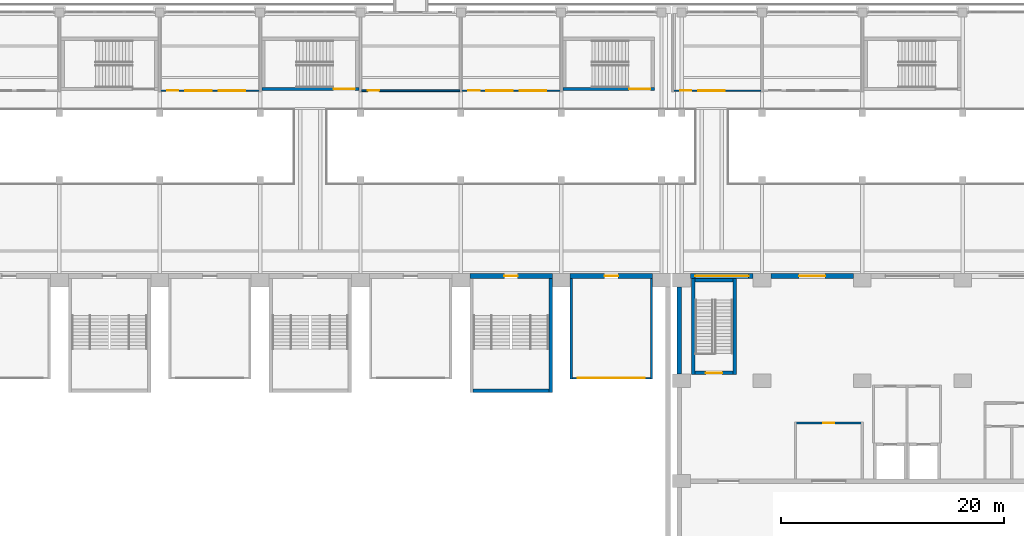
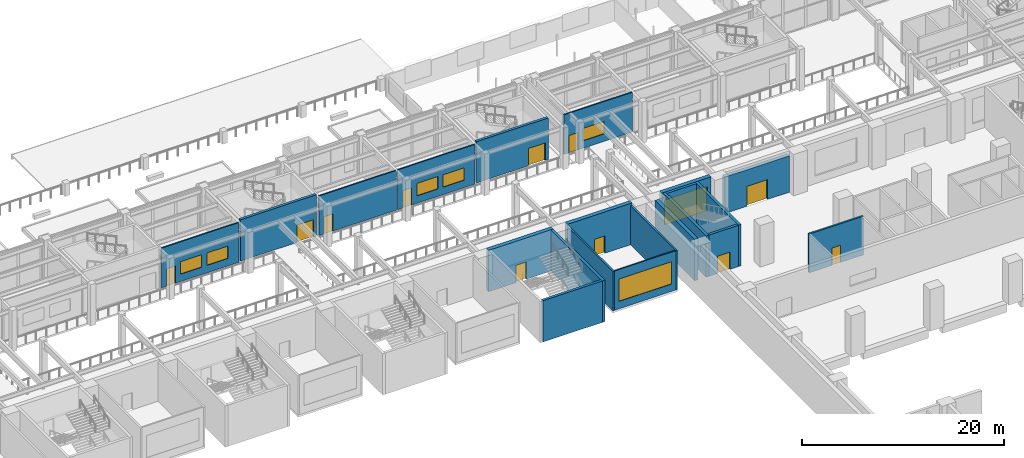
# One storey, part 39 of 67: 21 walls, 11 doors, 7 windows, 18 openings.
"""IFC4 building model written with IfcOpenShell, lengths in metres."""

from ifc_helpers import new_model, si_unit, direction, frame, frame_2d, origin, place, context, subcontext, project, spatial, rectangle, extrude, material, layer, layer_set, type_object, element, fill, save


model = new_model("IFC4")

# Units and contexts
model_context = context("Model", 3, precision=1e-05, world=origin(), true_north=direction((0.0, 1.0)))
body_context = subcontext(model_context, "Body", "Model", "MODEL_VIEW")
ifc_project = project(units=[si_unit("LENGTHUNIT", "METRE"), si_unit("AREAUNIT", "SQUARE_METRE"), si_unit("VOLUMEUNIT", "CUBIC_METRE"), si_unit("PLANEANGLEUNIT", "RADIAN"), si_unit("MASSUNIT", "GRAM", prefix="KILO")], contexts=[model_context])

# Site, building, storey
site_placement = place(None, origin())
site = spatial("IfcSite", under=ifc_project, at=site_placement, CompositionType="ELEMENT")
building_placement = place(site_placement, origin())
building = spatial("IfcBuilding", under=site, at=building_placement, Name="Aravalli Gate Trade Fair Centre", CompositionType="ELEMENT")
storey_placement = place(building_placement, frame((0.0, 0.0, 5.0)))
storey = spatial("IfcBuildingStorey", under=building, at=storey_placement, Name="L01", CompositionType="ELEMENT", Elevation=5.0)

# Walls
ifc_material_1 = material(Name="Concrete M40", Category="concrete")
ifc_layer_1 = layer(ifc_material_1, 0.300048828125)
ifc_layer_set_1 = layer_set([ifc_layer_1], Name="Concrete M40")
wall_type_1 = type_object("IfcWallType", Name="Congress RC wall 300", PredefinedType="SHEAR", material=ifc_layer_set_1)
for number, where, z_axis, x_axis, name in (
    (1, (107.85009765625, 100.550048828125, 0.0), (0.0, 0.0, 1.0), (0.0, 1.0, 0.0), "Foyer Stair West wall W L01"),
    (2, (111.550048828125, 100.550048828125, 0.0), (0.0, 0.0, 1.0), (0.0, 1.0, 0.0), "Foyer Stair West wall E L01"),
):
    element("IfcWall", number, at=place(storey_placement, frame(where, z_axis=z_axis, x_axis=x_axis)), inside=storey, type_object=wall_type_1, Name=name, PredefinedType="SHEAR", context=body_context, shape_type="SweptSolid", body=[
        extrude(rectangle(XDim=8.599853515625, YDim=0.300048828125, at=frame_2d((4.2998046875, 0.0))), origin(), (0.0, 0.0, 1.0), 5.0),
    ])

# Wall, opening, door
wall_1_placement = place(storey_placement, frame((108.0, 100.699951171875, 0.0), z_axis=(0.0, 0.0, 1.0), x_axis=(1.0, 0.0, 0.0)))
wall_1 = element("IfcWall", 3, at=wall_1_placement, inside=storey, type_object=wall_type_1, Name="Foyer Stair West wall S L01", PredefinedType="SHEAR", context=body_context, shape_type="SweptSolid", body=[
    extrude(rectangle(XDim=3.39990234375, YDim=0.300048828125, at=frame_2d((1.699951171875, 0.0))), origin(), (0.0, 0.0, 1.0), 5.0),
])
opening_1_placement = place(wall_1_placement, frame((0.97509765625, 0.0, 0.0)))
opening_1 = element("IfcOpeningElement", 4, at=opening_1_placement, cuts=wall_1, Name="Opening G-L01-07", PredefinedType="OPENING", context=body_context, shape_type="SweptSolid", body=[
    extrude(rectangle(XDim=1.449951171875, YDim=2.10009765625, at=frame_2d((0.72509765625, 1.050048828125))), frame((0.0, 0.159912109375, 0.0), z_axis=(0.0, -1.0, 0.0), x_axis=(1.0, 0.0, 0.0)), (0.0, 0.0, 1.0), 0.320068359375),
])
ifc_material_2 = material(Name="Steel, fire rated", Category="steel")
door_type_1 = type_object("IfcDoorType", Name="Congress fire door FD120 1450 x 2100", OperationType="SINGLE_SWING_LEFT", PredefinedType="DOOR", material=ifc_material_2)
door_1_placement = place(opening_1_placement, origin())
door_1 = element("IfcDoor", 5, at=door_1_placement, inside=storey, type_object=door_type_1, Name="Foyer Stair West door L01", OperationType="SINGLE_SWING_RIGHT", OverallHeight=2.10009765625, OverallWidth=1.449951171875, PredefinedType="DOOR", context=body_context, shape_type="SweptSolid", body=[
    extrude(rectangle(XDim=1.449951171875, YDim=2.10009765625, at=frame_2d((0.72509765625, 1.050048828125))), frame((0.0, 0.02490234375, 0.0), z_axis=(0.0, -1.0, 0.0), x_axis=(1.0, 0.0, 0.0)), (0.0, 0.0, 1.0), 0.050048828125),
])
fill(opening_1, door_1)

# Walls
wall_2_placement = place(storey_placement, frame((108.0, 109.0, 0.0), z_axis=(0.0, 0.0, 1.0), x_axis=(1.0, 0.0, 0.0)))
element("IfcWall", 6, at=wall_2_placement, inside=storey, type_object=wall_type_1, Name="Foyer Stair West wall N L01", PredefinedType="SHEAR", context=body_context, shape_type="SweptSolid", body=[
    extrude(rectangle(XDim=3.39990234375, YDim=0.300048828125, at=frame_2d((1.699951171875, 0.0))), origin(), (0.0, 0.0, 1.0), 5.0),
])
ifc_layer_2 = layer(ifc_material_1, 0.25, Name="Structural wall")
ifc_material_3 = material(Name="Ventilated air cavity")
ifc_layer_3 = layer(ifc_material_3, 0.050048828125, ventilated=True, Name="Ventilated cavity")
ifc_material_4 = material(Name="Terracotta rainscreen", Category="masonry")
ifc_layer_4 = layer(ifc_material_4, 0.10009765625, Name="Rainscreen cladding")
ifc_layer_set_2 = layer_set([ifc_layer_2, ifc_layer_3, ifc_layer_4], Name="Congress external wall 400")
wall_type_2 = type_object("IfcWallType", Name="Congress external wall 400", PredefinedType="SOLIDWALL", material=ifc_layer_set_2)
wall_3_placement = place(storey_placement, frame((106.60009765625, 100.60009765625, 0.0), z_axis=(0.0, 0.0, 1.0), x_axis=(0.0, 1.0, 0.0)))
element("IfcWall", 7, at=wall_3_placement, inside=storey, type_object=wall_type_2, Name="West wall L01 bay 7", PredefinedType="SOLIDWALL", context=body_context, shape_type="SweptSolid", body=[
    extrude(rectangle(XDim=7.7998046875, YDim=0.39990234375, at=frame_2d((3.89990234375, 0.0))), origin(), (0.0, 0.0, 1.0), 5.0),
])

# Wall, opening, door
ifc_material_5 = material(Name="Concrete block masonry", Category="masonry")
ifc_layer_5 = layer(ifc_material_5, 0.199951171875)
ifc_layer_set_3 = layer_set([ifc_layer_5], Name="Concrete block masonry")
wall_type_3 = type_object("IfcWallType", Name="Congress partition 200", PredefinedType="PARTITIONING", material=ifc_layer_set_3)
wall_4_placement = place(storey_placement, frame((116.89990234375, 96.199951171875, 0.0), z_axis=(0.0, 0.0, 1.0), x_axis=(1.0, 0.0, 0.0)))
wall_4 = element("IfcWall", 8, at=wall_4_placement, inside=storey, type_object=wall_type_3, Name="Control room wall N", PredefinedType="PARTITIONING", context=body_context, shape_type="SweptSolid", body=[
    extrude(rectangle(XDim=6.2001953125, YDim=0.199951171875, at=frame_2d((3.10009765625, 0.0))), origin(), (0.0, 0.0, 1.0), 4.699951171875),
])
opening_2_placement = place(wall_4_placement, frame((2.60009765625, 0.0, 0.0)))
opening_2 = element("IfcOpeningElement", 9, at=opening_2_placement, cuts=wall_4, Name="Opening G-L01-17", PredefinedType="OPENING", context=body_context, shape_type="SweptSolid", body=[
    extrude(rectangle(XDim=1.0, YDim=2.10009765625, at=frame_2d((0.5, 1.050048828125))), frame((0.0, 0.10986328125, 0.0), z_axis=(0.0, -1.0, 0.0), x_axis=(1.0, 0.0, 0.0)), (0.0, 0.0, 1.0), 0.219970703125),
])
door_type_2 = type_object("IfcDoorType", Name="Congress fire door FD120 1000 x 2100", OperationType="SINGLE_SWING_LEFT", PredefinedType="DOOR", material=ifc_material_2)
door_2_placement = place(opening_2_placement, frame((1.0, 0.0, 0.0), z_axis=(0.0, 0.0, 1.0), x_axis=(-1.0, 0.0, 0.0)))
door_2 = element("IfcDoor", 10, at=door_2_placement, inside=storey, type_object=door_type_2, Name="Control room door", OperationType="SINGLE_SWING_LEFT", OverallHeight=2.10009765625, OverallWidth=1.0, PredefinedType="DOOR", context=body_context, shape_type="SweptSolid", body=[
    extrude(rectangle(XDim=1.0, YDim=2.10009765625, at=frame_2d((0.5, 1.050048828125))), frame((0.0, 0.02490234375, 0.0), z_axis=(0.0, -1.0, 0.0), x_axis=(1.0, 0.0, 0.0)), (0.0, 0.0, 1.0), 0.050048828125),
])
fill(opening_2, door_2)

# Wall, opening, window
ifc_layer_6 = layer(ifc_material_1, 0.449951171875)
ifc_layer_set_4 = layer_set([ifc_layer_6], Name="Concrete M40")
wall_type_4 = type_object("IfcWallType", Name="Congress party wall 450", PredefinedType="SOLIDWALL", material=ifc_layer_set_4)
wall_5_placement = place(storey_placement, frame((107.60009765625, 109.375, 0.0), z_axis=(0.0, 0.0, 1.0), x_axis=(1.0, 0.0, 0.0)))
wall_5 = element("IfcWall", 11, at=wall_5_placement, inside=storey, type_object=wall_type_4, Name="North wall L01 bay 1", PredefinedType="SOLIDWALL", context=body_context, shape_type="SweptSolid", body=[
    extrude(rectangle(XDim=5.599853515625, YDim=0.449951171875, at=frame_2d((2.7998046875, 0.0))), origin(), (0.0, 0.0, 1.0), 5.0),
])
opening_3_placement = place(wall_5_placement, frame((0.39990234375, 0.0, 0.89990234375)))
opening_3 = element("IfcOpeningElement", 12, at=opening_3_placement, cuts=wall_5, Name="Opening GWN3", PredefinedType="OPENING", context=body_context, shape_type="SweptSolid", body=[
    extrude(rectangle(XDim=4.800048828125, YDim=3.0, at=frame_2d((2.39990234375, 1.5))), frame((0.0, 0.23486328125, 0.0), z_axis=(0.0, -1.0, 0.0), x_axis=(1.0, 0.0, 0.0)), (0.0, 0.0, 1.0), 0.469970703125),
])
ifc_material_6 = material(Name="Aluminium and glass", Category="aluminium")
window_type_1 = type_object("IfcWindowType", Name="Congress foyer window 4800 x 3000", PartitioningType="SINGLE_PANEL", PredefinedType="WINDOW", material=ifc_material_6)
window_1_placement = place(opening_3_placement, origin())
window_1 = element("IfcWindow", 13, at=window_1_placement, inside=storey, type_object=window_type_1, Name="Foyer window L01 bay 1", OverallHeight=3.0, OverallWidth=4.800048828125, PartitioningType="SINGLE_PANEL", PredefinedType="WINDOW", context=body_context, shape_type="SweptSolid", body=[
    extrude(rectangle(XDim=4.800048828125, YDim=3.0, at=frame_2d((2.39990234375, 1.5))), frame((0.0, 0.030029296875, 0.0), z_axis=(0.0, -1.0, 0.0), x_axis=(1.0, 0.0, 0.0)), (0.0, 0.0, 1.0), 0.06005859375),
])
fill(opening_3, window_1)

# Wall, opening, door
wall_6_placement = place(storey_placement, frame((114.800048828125, 109.375, 0.0), z_axis=(0.0, 0.0, 1.0), x_axis=(1.0, 0.0, 0.0)))
wall_6 = element("IfcWall", 14, at=wall_6_placement, inside=storey, type_object=wall_type_4, Name="North wall L01 bay 2", PredefinedType="SOLIDWALL", context=body_context, shape_type="SweptSolid", body=[
    extrude(rectangle(XDim=7.39990234375, YDim=0.449951171875, at=frame_2d((3.699951171875, 0.0))), origin(), (0.0, 0.0, 1.0), 4.39990234375),
])
opening_4_placement = place(wall_6_placement, frame((2.52490234375, 0.0, 0.0)))
opening_4 = element("IfcOpeningElement", 15, at=opening_4_placement, cuts=wall_6, Name="Opening G-L01-03", PredefinedType="OPENING", context=body_context, shape_type="SweptSolid", body=[
    extrude(rectangle(XDim=2.35009765625, YDim=2.39990234375, at=frame_2d((1.175048828125, 1.199951171875))), frame((0.0, 0.23486328125, 0.0), z_axis=(0.0, -1.0, 0.0), x_axis=(1.0, 0.0, 0.0)), (0.0, 0.0, 1.0), 0.469970703125),
])
door_type_3 = type_object("IfcDoorType", Name="Congress glazed entrance door 2350 x 2400 double door single swing", OperationType="DOUBLE_DOOR_SINGLE_SWING", PredefinedType="DOOR", material=ifc_material_6)
door_3_placement = place(opening_4_placement, origin())
door_3 = element("IfcDoor", 16, at=door_3_placement, inside=storey, type_object=door_type_3, Name="Foyer gallery door L01 1", OperationType="DOUBLE_DOOR_SINGLE_SWING", OverallHeight=2.39990234375, OverallWidth=2.35009765625, PredefinedType="DOOR", context=body_context, shape_type="SweptSolid", body=[
    extrude(rectangle(XDim=2.35009765625, YDim=2.39990234375, at=frame_2d((1.175048828125, 1.199951171875))), frame((0.0, 0.02490234375, 0.0), z_axis=(0.0, -1.0, 0.0), x_axis=(1.0, 0.0, 0.0)), (0.0, 0.0, 1.0), 0.050048828125),
])
fill(opening_4, door_3)

ifc_layer_7 = layer(ifc_material_1, 0.25, Name="Structural wall")
ifc_layer_8 = layer(ifc_material_3, 0.10009765625, ventilated=True, Name="Ventilated cavity")
ifc_layer_9 = layer(ifc_material_4, 0.10009765625, Name="Rainscreen cladding")
ifc_layer_set_5 = layer_set([ifc_layer_7, ifc_layer_8, ifc_layer_9], Name="Hall external wall 450")
wall_type_5 = type_object("IfcWallType", Name="Hall external wall 450", PredefinedType="SOLIDWALL", material=ifc_layer_set_5)
wall_7_placement = place(storey_placement, frame((87.800048828125, 109.375, 0.0), z_axis=(0.0, 0.0, 1.0), x_axis=(1.0, 0.0, 0.0)))
wall_7 = element("IfcWall", 17, at=wall_7_placement, inside=storey, type_object=wall_type_5, Name="Hall north wall bay 10 L01", PredefinedType="SOLIDWALL", context=body_context, shape_type="SweptSolid", body=[
    extrude(rectangle(XDim=7.39990234375, YDim=0.449951171875, at=frame_2d((3.699951171875, 0.0))), origin(), (0.0, 0.0, 1.0), 5.0),
])
opening_5_placement = place(wall_7_placement, frame((3.10009765625, 0.0, 0.0)))
opening_5 = element("IfcOpeningElement", 18, at=opening_5_placement, cuts=wall_7, Name="Opening H-L01-05", PredefinedType="OPENING", context=body_context, shape_type="SweptSolid", body=[
    extrude(rectangle(XDim=1.199951171875, YDim=2.10009765625, at=frame_2d((0.60009765625, 1.050048828125))), frame((0.0, 0.23486328125, 0.0), z_axis=(0.0, -1.0, 0.0), x_axis=(1.0, 0.0, 0.0)), (0.0, 0.0, 1.0), 0.469970703125),
])
ifc_material_7 = material(Name="Steel", Category="steel")
door_type_4 = type_object("IfcDoorType", Name="Hall stair gallery door FD120", OperationType="SINGLE_SWING_LEFT", PredefinedType="DOOR", material=ifc_material_7)
door_4_placement = place(opening_5_placement, frame((1.199951171875, 0.0, 0.0), z_axis=(0.0, 0.0, 1.0), x_axis=(-1.0, 0.0, 0.0)))
door_4 = element("IfcDoor", 19, at=door_4_placement, inside=storey, type_object=door_type_4, Name="Stair door ST-N10 L01 gallery", OperationType="SINGLE_SWING_RIGHT", OverallHeight=2.10009765625, OverallWidth=1.199951171875, PredefinedType="DOOR", context=body_context, shape_type="SweptSolid", body=[
    extrude(rectangle(XDim=1.199951171875, YDim=2.10009765625, at=frame_2d((0.60009765625, 1.050048828125))), frame((0.0, 0.02490234375, 0.0), z_axis=(0.0, -1.0, 0.0), x_axis=(1.0, 0.0, 0.0)), (0.0, 0.0, 1.0), 0.050048828125),
])
fill(opening_5, door_4)

wall_8_placement = place(storey_placement, frame((96.800048828125, 109.375, 0.0), z_axis=(0.0, 0.0, 1.0), x_axis=(1.0, 0.0, 0.0)))
wall_8 = element("IfcWall", 20, at=wall_8_placement, inside=storey, type_object=wall_type_5, Name="Hall north wall bay 11 L01", PredefinedType="SOLIDWALL", context=body_context, shape_type="SweptSolid", body=[
    extrude(rectangle(XDim=7.39990234375, YDim=0.449951171875, at=frame_2d((3.699951171875, 0.0))), origin(), (0.0, 0.0, 1.0), 5.0),
])
opening_6_placement = place(wall_8_placement, frame((3.10009765625, 0.0, 0.0)))
opening_6 = element("IfcOpeningElement", 21, at=opening_6_placement, cuts=wall_8, Name="Opening H-L01-11", PredefinedType="OPENING", context=body_context, shape_type="SweptSolid", body=[
    extrude(rectangle(XDim=1.199951171875, YDim=2.10009765625, at=frame_2d((0.60009765625, 1.050048828125))), frame((0.0, 0.23486328125, 0.0), z_axis=(0.0, -1.0, 0.0), x_axis=(1.0, 0.0, 0.0)), (0.0, 0.0, 1.0), 0.469970703125),
])
door_type_5 = type_object("IfcDoorType", Name="Meeting room door FD60", OperationType="SINGLE_SWING_LEFT", PredefinedType="DOOR", material=ifc_material_7)
door_5_placement = place(opening_6_placement, frame((1.199951171875, 0.0, 0.0), z_axis=(0.0, 0.0, 1.0), x_axis=(-1.0, 0.0, 0.0)))
door_5 = element("IfcDoor", 22, at=door_5_placement, inside=storey, type_object=door_type_5, Name="Meeting room 6 door", OperationType="SINGLE_SWING_RIGHT", OverallHeight=2.10009765625, OverallWidth=1.199951171875, PredefinedType="DOOR", context=body_context, shape_type="SweptSolid", body=[
    extrude(rectangle(XDim=1.199951171875, YDim=2.10009765625, at=frame_2d((0.60009765625, 1.050048828125))), frame((0.0, 0.02490234375, 0.0), z_axis=(0.0, -1.0, 0.0), x_axis=(1.0, 0.0, 0.0)), (0.0, 0.0, 1.0), 0.050048828125),
])
fill(opening_6, door_5)

# Wall, opening, window
ifc_material_8 = material(Name="Steel E350 (350 MPa)", Category="steel")
ifc_layer_10 = layer(ifc_material_8, 0.14990234375)
ifc_layer_set_6 = layer_set([ifc_layer_10], Name="Steel E350 (350 MPa)")
wall_type_6 = type_object("IfcWallType", Name="Meeting room glazed front wall 150", PredefinedType="PARTITIONING", material=ifc_layer_set_6)
wall_9_placement = place(storey_placement, frame((97.0, 100.22509765625, 0.0), z_axis=(0.0, 0.0, 1.0), x_axis=(1.0, 0.0, 0.0)))
wall_9 = element("IfcWall", 23, at=wall_9_placement, inside=storey, type_object=wall_type_6, Name="Meeting room 6 front wall", PredefinedType="PARTITIONING", context=body_context, shape_type="SweptSolid", body=[
    extrude(rectangle(XDim=7.0, YDim=0.14990234375, at=frame_2d((3.5, 0.0))), origin(), (0.0, 0.0, 1.0), 4.75),
])
opening_7_placement = place(wall_9_placement, frame((0.5, 0.0, 0.89990234375)))
opening_7 = element("IfcOpeningElement", 24, at=opening_7_placement, cuts=wall_9, Name="Opening WM1", PredefinedType="OPENING", context=body_context, shape_type="SweptSolid", body=[
    extrude(rectangle(XDim=6.0, YDim=2.699951171875, at=frame_2d((3.0, 1.35009765625))), frame((0.0, 0.0849609375, 0.0), z_axis=(0.0, -1.0, 0.0), x_axis=(1.0, 0.0, 0.0)), (0.0, 0.0, 1.0), 0.169921875),
])
ifc_material_9 = material(Name="Glass in steel frame", Category="steel")
window_type_2 = type_object("IfcWindowType", Name="Meeting room window 6000x2700", PartitioningType="TRIPLE_PANEL_VERTICAL", PredefinedType="WINDOW", material=ifc_material_9)
window_2_placement = place(opening_7_placement, origin())
window_2 = element("IfcWindow", 25, at=window_2_placement, inside=storey, type_object=window_type_2, Name="Meeting room 6 window", OverallHeight=2.699951171875, OverallWidth=6.0, PartitioningType="TRIPLE_PANEL_VERTICAL", PredefinedType="WINDOW", context=body_context, shape_type="SweptSolid", body=[
    extrude(rectangle(XDim=6.0, YDim=2.699951171875, at=frame_2d((3.0, 1.35009765625))), frame((0.0, 0.030029296875, 0.0), z_axis=(0.0, -1.0, 0.0), x_axis=(1.0, 0.0, 0.0)), (0.0, 0.0, 1.0), 0.06005859375),
])
fill(opening_7, window_2)

# Walls
ifc_layer_11 = layer(ifc_material_1, 0.199951171875)
ifc_layer_set_7 = layer_set([ifc_layer_11], Name="Concrete M40")
wall_type_7 = type_object("IfcWallType", Name="Meeting room side wall RC 200", PredefinedType="SHEAR", material=ifc_layer_set_7)
for number, where, z_axis, x_axis, name in (
    (26, (96.89990234375, 100.14990234375, 0.0), (0.0, 0.0, 1.0), (0.0, 1.0, 0.0), "Meeting room 6 side wall W"),
    (27, (104.10009765625, 100.14990234375, 0.0), (0.0, 0.0, 1.0), (0.0, 1.0, 0.0), "Meeting room 6 side wall E"),
):
    element("IfcWall", number, at=place(storey_placement, frame(where, z_axis=z_axis, x_axis=x_axis)), inside=storey, type_object=wall_type_7, Name=name, PredefinedType="SHEAR", context=body_context, shape_type="SweptSolid", body=[
        extrude(rectangle(XDim=9.0, YDim=0.199951171875, at=frame_2d((4.5, 0.0))), origin(), (0.0, 0.0, 1.0), 4.75),
    ])

# Wall, openings, windows, door
ifc_material_10 = material(Name="Gypsum board")
ifc_layer_12 = layer(ifc_material_10, 0.02490234375, Name="Gypsum board lining")
ifc_material_11 = material(Name="Galvanised stud framing")
ifc_layer_13 = layer(ifc_material_11, 0.10009765625, Name="Stud framing")
ifc_layer_14 = layer(ifc_material_10, 0.02490234375, Name="Gypsum board lining")
ifc_layer_set_8 = layer_set([ifc_layer_12, ifc_layer_13, ifc_layer_14], Name="Partition wall 150")
wall_type_8 = type_object("IfcWallType", Name="Partition wall 150", PredefinedType="PARTITIONING", material=ifc_layer_set_8)
wall_10_placement = place(storey_placement, frame((60.074951171875, 126.0, 0.0), z_axis=(0.0, 0.0, 1.0), x_axis=(1.0, 0.0, 0.0)))
wall_10 = element("IfcWall", 28, at=wall_10_placement, inside=storey, type_object=wall_type_8, Name="Partition Meeting Room 2 south L01", PredefinedType="PARTITIONING", context=body_context, shape_type="SweptSolid", body=[
    extrude(rectangle(XDim=8.85009765625, YDim=0.14990234375, at=frame_2d((4.425048828125, 0.0))), origin(), (0.0, 0.0, 1.0), 4.800048828125),
])
opening_8_placement = place(wall_10_placement, frame((0.60009765625, 0.0, 0.0)))
opening_8 = element("IfcOpeningElement", 29, at=opening_8_placement, cuts=wall_10, Name="Opening C-L01-17", PredefinedType="OPENING", context=body_context, shape_type="SweptSolid", body=[
    extrude(rectangle(XDim=1.0, YDim=2.10009765625, at=frame_2d((0.5, 1.050048828125))), frame((0.0, 0.0849609375, 0.0), z_axis=(0.0, -1.0, 0.0), x_axis=(1.0, 0.0, 0.0)), (0.0, 0.0, 1.0), 0.169921875),
])
opening_9_placement = place(wall_10_placement, frame((2.199951171875, 0.0, 0.89990234375)))
opening_9 = element("IfcOpeningElement", 30, at=opening_9_placement, cuts=wall_10, Name="Opening WI1", PredefinedType="OPENING", context=body_context, shape_type="SweptSolid", body=[
    extrude(rectangle(XDim=2.39990234375, YDim=1.5, at=frame_2d((1.199951171875, 0.75))), frame((0.0, 0.0849609375, 0.0), z_axis=(0.0, -1.0, 0.0), x_axis=(1.0, 0.0, 0.0)), (0.0, 0.0, 1.0), 0.169921875),
])
opening_10_placement = place(wall_10_placement, frame((5.199951171875, 0.0, 0.89990234375)))
opening_10 = element("IfcOpeningElement", 31, at=opening_10_placement, cuts=wall_10, Name="Opening WI1", PredefinedType="OPENING", context=body_context, shape_type="SweptSolid", body=[
    extrude(rectangle(XDim=2.39990234375, YDim=1.5, at=frame_2d((1.199951171875, 0.75))), frame((0.0, 0.0849609375, 0.0), z_axis=(0.0, -1.0, 0.0), x_axis=(1.0, 0.0, 0.0)), (0.0, 0.0, 1.0), 0.169921875),
])
ifc_material_12 = material(Name="Glass, fire rated", Category="glass")
window_type_3 = type_object("IfcWindowType", Name="Interior glazed screen 2400 x 1500", PartitioningType="SINGLE_PANEL", PredefinedType="WINDOW", material=ifc_material_12)
window_3_placement = place(opening_9_placement, origin())
window_3 = element("IfcWindow", 32, at=window_3_placement, inside=storey, type_object=window_type_3, Name="Interior window Meeting Room 2 1 L01", OverallHeight=1.5, OverallWidth=2.39990234375, PartitioningType="SINGLE_PANEL", PredefinedType="WINDOW", context=body_context, shape_type="SweptSolid", body=[
    extrude(rectangle(XDim=2.39990234375, YDim=1.5, at=frame_2d((1.199951171875, 0.75))), frame((0.0, 0.030029296875, 0.0), z_axis=(0.0, -1.0, 0.0), x_axis=(1.0, 0.0, 0.0)), (0.0, 0.0, 1.0), 0.06005859375),
])
fill(opening_9, window_3)
window_4_placement = place(opening_10_placement, origin())
window_4 = element("IfcWindow", 33, at=window_4_placement, inside=storey, type_object=window_type_3, Name="Interior window Meeting Room 2 2 L01", OverallHeight=1.5, OverallWidth=2.39990234375, PartitioningType="SINGLE_PANEL", PredefinedType="WINDOW", context=body_context, shape_type="SweptSolid", body=[
    extrude(rectangle(XDim=2.39990234375, YDim=1.5, at=frame_2d((1.199951171875, 0.75))), frame((0.0, 0.030029296875, 0.0), z_axis=(0.0, -1.0, 0.0), x_axis=(1.0, 0.0, 0.0)), (0.0, 0.0, 1.0), 0.06005859375),
])
fill(opening_10, window_4)
door_type_6 = type_object("IfcDoorType", Name="Room door 1000 x 2100", OperationType="SINGLE_SWING_RIGHT", PredefinedType="NOTDEFINED", material=ifc_material_2)
door_6_placement = place(opening_8_placement, origin())
door_6 = element("IfcDoor", 34, at=door_6_placement, inside=storey, type_object=door_type_6, Name="Door Meeting Room 2 L01", OperationType="SINGLE_SWING_LEFT", OverallHeight=2.10009765625, OverallWidth=1.0, PredefinedType="NOTDEFINED", context=body_context, shape_type="SweptSolid", body=[
    extrude(rectangle(XDim=1.0, YDim=2.10009765625, at=frame_2d((0.5, 1.050048828125))), frame((0.0, 0.02490234375, 0.0), z_axis=(0.0, -1.0, 0.0), x_axis=(1.0, 0.0, 0.0)), (0.0, 0.0, 1.0), 0.050048828125),
])
fill(opening_8, door_6)

wall_11_placement = place(storey_placement, frame((87.074951171875, 126.0, 0.0), z_axis=(0.0, 0.0, 1.0), x_axis=(1.0, 0.0, 0.0)))
wall_11 = element("IfcWall", 35, at=wall_11_placement, inside=storey, type_object=wall_type_8, Name="Partition Meeting Room 3 south L01", PredefinedType="PARTITIONING", context=body_context, shape_type="SweptSolid", body=[
    extrude(rectangle(XDim=8.85009765625, YDim=0.14990234375, at=frame_2d((4.425048828125, 0.0))), origin(), (0.0, 0.0, 1.0), 4.800048828125),
])
opening_11_placement = place(wall_11_placement, frame((0.60009765625, 0.0, 0.0)))
opening_11 = element("IfcOpeningElement", 36, at=opening_11_placement, cuts=wall_11, Name="Opening C-L01-18", PredefinedType="OPENING", context=body_context, shape_type="SweptSolid", body=[
    extrude(rectangle(XDim=1.0, YDim=2.10009765625, at=frame_2d((0.5, 1.050048828125))), frame((0.0, 0.0849609375, 0.0), z_axis=(0.0, -1.0, 0.0), x_axis=(1.0, 0.0, 0.0)), (0.0, 0.0, 1.0), 0.169921875),
])
opening_12_placement = place(wall_11_placement, frame((2.199951171875, 0.0, 0.89990234375)))
opening_12 = element("IfcOpeningElement", 37, at=opening_12_placement, cuts=wall_11, Name="Opening WI1", PredefinedType="OPENING", context=body_context, shape_type="SweptSolid", body=[
    extrude(rectangle(XDim=2.39990234375, YDim=1.5, at=frame_2d((1.199951171875, 0.75))), frame((0.0, 0.0849609375, 0.0), z_axis=(0.0, -1.0, 0.0), x_axis=(1.0, 0.0, 0.0)), (0.0, 0.0, 1.0), 0.169921875),
])
opening_13_placement = place(wall_11_placement, frame((5.199951171875, 0.0, 0.89990234375)))
opening_13 = element("IfcOpeningElement", 38, at=opening_13_placement, cuts=wall_11, Name="Opening WI1", PredefinedType="OPENING", context=body_context, shape_type="SweptSolid", body=[
    extrude(rectangle(XDim=2.39990234375, YDim=1.5, at=frame_2d((1.199951171875, 0.75))), frame((0.0, 0.0849609375, 0.0), z_axis=(0.0, -1.0, 0.0), x_axis=(1.0, 0.0, 0.0)), (0.0, 0.0, 1.0), 0.169921875),
])
window_5_placement = place(opening_12_placement, origin())
window_5 = element("IfcWindow", 39, at=window_5_placement, inside=storey, type_object=window_type_3, Name="Interior window Meeting Room 3 1 L01", OverallHeight=1.5, OverallWidth=2.39990234375, PartitioningType="SINGLE_PANEL", PredefinedType="WINDOW", context=body_context, shape_type="SweptSolid", body=[
    extrude(rectangle(XDim=2.39990234375, YDim=1.5, at=frame_2d((1.199951171875, 0.75))), frame((0.0, 0.030029296875, 0.0), z_axis=(0.0, -1.0, 0.0), x_axis=(1.0, 0.0, 0.0)), (0.0, 0.0, 1.0), 0.06005859375),
])
fill(opening_12, window_5)
window_6_placement = place(opening_13_placement, origin())
window_6 = element("IfcWindow", 40, at=window_6_placement, inside=storey, type_object=window_type_3, Name="Interior window Meeting Room 3 2 L01", OverallHeight=1.5, OverallWidth=2.39990234375, PartitioningType="SINGLE_PANEL", PredefinedType="WINDOW", context=body_context, shape_type="SweptSolid", body=[
    extrude(rectangle(XDim=2.39990234375, YDim=1.5, at=frame_2d((1.199951171875, 0.75))), frame((0.0, 0.030029296875, 0.0), z_axis=(0.0, -1.0, 0.0), x_axis=(1.0, 0.0, 0.0)), (0.0, 0.0, 1.0), 0.06005859375),
])
fill(opening_13, window_6)
door_7_placement = place(opening_11_placement, origin())
door_7 = element("IfcDoor", 41, at=door_7_placement, inside=storey, type_object=door_type_6, Name="Door Meeting Room 3 L01", OperationType="SINGLE_SWING_LEFT", OverallHeight=2.10009765625, OverallWidth=1.0, PredefinedType="NOTDEFINED", context=body_context, shape_type="SweptSolid", body=[
    extrude(rectangle(XDim=1.0, YDim=2.10009765625, at=frame_2d((0.5, 1.050048828125))), frame((0.0, 0.02490234375, 0.0), z_axis=(0.0, -1.0, 0.0), x_axis=(1.0, 0.0, 0.0)), (0.0, 0.0, 1.0), 0.050048828125),
])
fill(opening_11, door_7)

# Wall, openings, window, door
wall_12_placement = place(storey_placement, frame((106.074951171875, 126.0, 0.0), z_axis=(0.0, 0.0, 1.0), x_axis=(1.0, 0.0, 0.0)))
wall_12 = element("IfcWall", 42, at=wall_12_placement, inside=storey, type_object=wall_type_8, Name="Partition Meeting Room 4 south L01", PredefinedType="PARTITIONING", context=body_context, shape_type="SweptSolid", body=[
    extrude(rectangle(XDim=7.85009765625, YDim=0.14990234375, at=frame_2d((3.925048828125, 0.0))), origin(), (0.0, 0.0, 1.0), 4.800048828125),
])
opening_14_placement = place(wall_12_placement, frame((0.60009765625, 0.0, 0.0)))
opening_14 = element("IfcOpeningElement", 43, at=opening_14_placement, cuts=wall_12, Name="Opening C-L01-19", PredefinedType="OPENING", context=body_context, shape_type="SweptSolid", body=[
    extrude(rectangle(XDim=1.0, YDim=2.10009765625, at=frame_2d((0.5, 1.050048828125))), frame((0.0, 0.0849609375, 0.0), z_axis=(0.0, -1.0, 0.0), x_axis=(1.0, 0.0, 0.0)), (0.0, 0.0, 1.0), 0.169921875),
])
opening_15_placement = place(wall_12_placement, frame((2.199951171875, 0.0, 0.89990234375)))
opening_15 = element("IfcOpeningElement", 44, at=opening_15_placement, cuts=wall_12, Name="Opening WI1", PredefinedType="OPENING", context=body_context, shape_type="SweptSolid", body=[
    extrude(rectangle(XDim=2.39990234375, YDim=1.5, at=frame_2d((1.199951171875, 0.75))), frame((0.0, 0.0849609375, 0.0), z_axis=(0.0, -1.0, 0.0), x_axis=(1.0, 0.0, 0.0)), (0.0, 0.0, 1.0), 0.169921875),
])
window_7_placement = place(opening_15_placement, origin())
window_7 = element("IfcWindow", 45, at=window_7_placement, inside=storey, type_object=window_type_3, Name="Interior window Meeting Room 4 1 L01", OverallHeight=1.5, OverallWidth=2.39990234375, PartitioningType="SINGLE_PANEL", PredefinedType="WINDOW", context=body_context, shape_type="SweptSolid", body=[
    extrude(rectangle(XDim=2.39990234375, YDim=1.5, at=frame_2d((1.199951171875, 0.75))), frame((0.0, 0.030029296875, 0.0), z_axis=(0.0, -1.0, 0.0), x_axis=(1.0, 0.0, 0.0)), (0.0, 0.0, 1.0), 0.06005859375),
])
fill(opening_15, window_7)
door_8_placement = place(opening_14_placement, origin())
door_8 = element("IfcDoor", 46, at=door_8_placement, inside=storey, type_object=door_type_6, Name="Door Meeting Room 4 L01", OperationType="SINGLE_SWING_LEFT", OverallHeight=2.10009765625, OverallWidth=1.0, PredefinedType="NOTDEFINED", context=body_context, shape_type="SweptSolid", body=[
    extrude(rectangle(XDim=1.0, YDim=2.10009765625, at=frame_2d((0.5, 1.050048828125))), frame((0.0, 0.02490234375, 0.0), z_axis=(0.0, -1.0, 0.0), x_axis=(1.0, 0.0, 0.0)), (0.0, 0.0, 1.0), 0.050048828125),
])
fill(opening_14, door_8)

# Wall, opening, door
wall_13_placement = place(storey_placement, frame((78.074951171875, 126.0, 0.0), z_axis=(0.0, 0.0, 1.0), x_axis=(1.0, 0.0, 0.0)))
wall_13 = element("IfcWall", 47, at=wall_13_placement, inside=storey, type_object=wall_type_8, Name="Partition Terrace Foyer south L01", PredefinedType="PARTITIONING", context=body_context, shape_type="SweptSolid", body=[
    extrude(rectangle(XDim=8.85009765625, YDim=0.14990234375, at=frame_2d((4.425048828125, 0.0))), origin(), (0.0, 0.0, 1.0), 4.800048828125),
])
opening_16_placement = place(wall_13_placement, frame((0.60009765625, 0.0, 0.0)))
opening_16 = element("IfcOpeningElement", 48, at=opening_16_placement, cuts=wall_13, Name="Opening C-L01-21", PredefinedType="OPENING", context=body_context, shape_type="SweptSolid", body=[
    extrude(rectangle(XDim=1.0, YDim=2.10009765625, at=frame_2d((0.5, 1.050048828125))), frame((0.0, 0.0849609375, 0.0), z_axis=(0.0, -1.0, 0.0), x_axis=(1.0, 0.0, 0.0)), (0.0, 0.0, 1.0), 0.169921875),
])
door_9_placement = place(opening_16_placement, frame((1.0, 0.0, 0.0), z_axis=(0.0, 0.0, 1.0), x_axis=(-1.0, 0.0, 0.0)))
door_9 = element("IfcDoor", 49, at=door_9_placement, inside=storey, type_object=door_type_6, Name="Door Terrace Foyer L01", OperationType="SINGLE_SWING_LEFT", OverallHeight=2.10009765625, OverallWidth=1.0, PredefinedType="NOTDEFINED", context=body_context, shape_type="SweptSolid", body=[
    extrude(rectangle(XDim=1.0, YDim=2.10009765625, at=frame_2d((0.5, 1.050048828125))), frame((0.0, 0.02490234375, 0.0), z_axis=(0.0, -1.0, 0.0), x_axis=(1.0, 0.0, 0.0)), (0.0, 0.0, 1.0), 0.050048828125),
])
fill(opening_16, door_9)

ifc_layer_15 = layer(ifc_material_1, 0.300048828125)
ifc_layer_set_9 = layer_set([ifc_layer_15], Name="Concrete M40")
wall_type_9 = type_object("IfcWallType", Name="RC core wall 300", PredefinedType="SHEAR", material=ifc_layer_set_9)
wall_14_placement = place(storey_placement, frame((69.14990234375, 126.14990234375, 0.0), z_axis=(0.0, 0.0, 1.0), x_axis=(1.0, 0.0, 0.0)))
wall_14 = element("IfcWall", 50, at=wall_14_placement, inside=storey, type_object=wall_type_9, Name="Core wall XCS L01", PredefinedType="SHEAR", context=body_context, shape_type="SweptSolid", body=[
    extrude(rectangle(XDim=8.7001953125, YDim=0.300048828125, at=frame_2d((4.35009765625, 0.0))), origin(), (0.0, 0.0, 1.0), 5.0),
])
opening_17_placement = place(wall_14_placement, frame((6.449951171875, 0.0, 0.0)))
opening_17 = element("IfcOpeningElement", 51, at=opening_17_placement, cuts=wall_14, Name="Opening C-L01-10", PredefinedType="OPENING", context=body_context, shape_type="SweptSolid", body=[
    extrude(rectangle(XDim=1.89990234375, YDim=2.10009765625, at=frame_2d((0.949951171875, 1.050048828125))), frame((0.0, 0.159912109375, 0.0), z_axis=(0.0, -1.0, 0.0), x_axis=(1.0, 0.0, 0.0)), (0.0, 0.0, 1.0), 0.320068359375),
])
door_type_7 = type_object("IfcDoorType", Name="Concourse stair door 1900 x 2100", OperationType="DOUBLE_DOOR_SINGLE_SWING", PredefinedType="NOTDEFINED", material=ifc_material_2)
door_10_placement = place(opening_17_placement, origin())
door_10 = element("IfcDoor", 52, at=door_10_placement, inside=storey, type_object=door_type_7, Name="Stair door XC L01", OperationType="DOUBLE_DOOR_SINGLE_SWING", OverallHeight=2.10009765625, OverallWidth=1.89990234375, PredefinedType="NOTDEFINED", context=body_context, shape_type="SweptSolid", body=[
    extrude(rectangle(XDim=1.89990234375, YDim=2.10009765625, at=frame_2d((0.949951171875, 1.050048828125))), frame((0.0, 0.02490234375, 0.0), z_axis=(0.0, -1.0, 0.0), x_axis=(1.0, 0.0, 0.0)), (0.0, 0.0, 1.0), 0.050048828125),
])
fill(opening_17, door_10)

wall_15_placement = place(storey_placement, frame((96.14990234375, 126.14990234375, 0.0), z_axis=(0.0, 0.0, 1.0), x_axis=(1.0, 0.0, 0.0)))
wall_15 = element("IfcWall", 53, at=wall_15_placement, inside=storey, type_object=wall_type_9, Name="Core wall XDS L01", PredefinedType="SHEAR", context=body_context, shape_type="SweptSolid", body=[
    extrude(rectangle(XDim=8.2001953125, YDim=0.300048828125, at=frame_2d((4.10009765625, 0.0))), origin(), (0.0, 0.0, 1.0), 5.0),
])
opening_18_placement = place(wall_15_placement, frame((5.949951171875, 0.0, 0.0)))
opening_18 = element("IfcOpeningElement", 54, at=opening_18_placement, cuts=wall_15, Name="Opening C-L01-11", PredefinedType="OPENING", context=body_context, shape_type="SweptSolid", body=[
    extrude(rectangle(XDim=1.89990234375, YDim=2.10009765625, at=frame_2d((0.949951171875, 1.050048828125))), frame((0.0, 0.159912109375, 0.0), z_axis=(0.0, -1.0, 0.0), x_axis=(1.0, 0.0, 0.0)), (0.0, 0.0, 1.0), 0.320068359375),
])
door_11_placement = place(opening_18_placement, origin())
door_11 = element("IfcDoor", 55, at=door_11_placement, inside=storey, type_object=door_type_7, Name="Stair door XD L01", OperationType="DOUBLE_DOOR_SINGLE_SWING", OverallHeight=2.10009765625, OverallWidth=1.89990234375, PredefinedType="NOTDEFINED", context=body_context, shape_type="SweptSolid", body=[
    extrude(rectangle(XDim=1.89990234375, YDim=2.10009765625, at=frame_2d((0.949951171875, 1.050048828125))), frame((0.0, 0.02490234375, 0.0), z_axis=(0.0, -1.0, 0.0), x_axis=(1.0, 0.0, 0.0)), (0.0, 0.0, 1.0), 0.050048828125),
])
fill(opening_18, door_11)

# Walls
ifc_layer_16 = layer(ifc_material_1, 0.300048828125)
ifc_layer_set_10 = layer_set([ifc_layer_16], Name="Concrete M40")
wall_type_10 = type_object("IfcWallType", Name="Stair tower wall RC 300", PredefinedType="SHEAR", material=ifc_layer_set_10)
wall_16_placement = place(storey_placement, frame((95.050048828125, 109.14990234375, 0.0), z_axis=(0.0, 0.0, 1.0), x_axis=(0.0, -1.0, 0.0)))
element("IfcWall", 56, at=wall_16_placement, inside=storey, type_object=wall_type_10, Name="Stair tower N10 wall E L01", PredefinedType="SHEAR", context=body_context, shape_type="SweptSolid", body=[
    extrude(rectangle(XDim=10.199951171875, YDim=0.300048828125, at=frame_2d((5.10009765625, 0.0))), origin(), (0.0, 0.0, 1.0), 5.0),
])
wall_17_placement = place(storey_placement, frame((88.10009765625, 99.10009765625, 0.0), z_axis=(0.0, 0.0, 1.0), x_axis=(1.0, 0.0, 0.0)))
element("IfcWall", 57, at=wall_17_placement, inside=storey, type_object=wall_type_10, Name="Stair tower N10 wall F L01", PredefinedType="SHEAR", context=body_context, shape_type="SweptSolid", body=[
    extrude(rectangle(XDim=6.7998046875, YDim=0.300048828125, at=frame_2d((3.39990234375, 0.0))), origin(), (0.0, 0.0, 1.0), 5.0),
])

save(model, "model.ifc")
